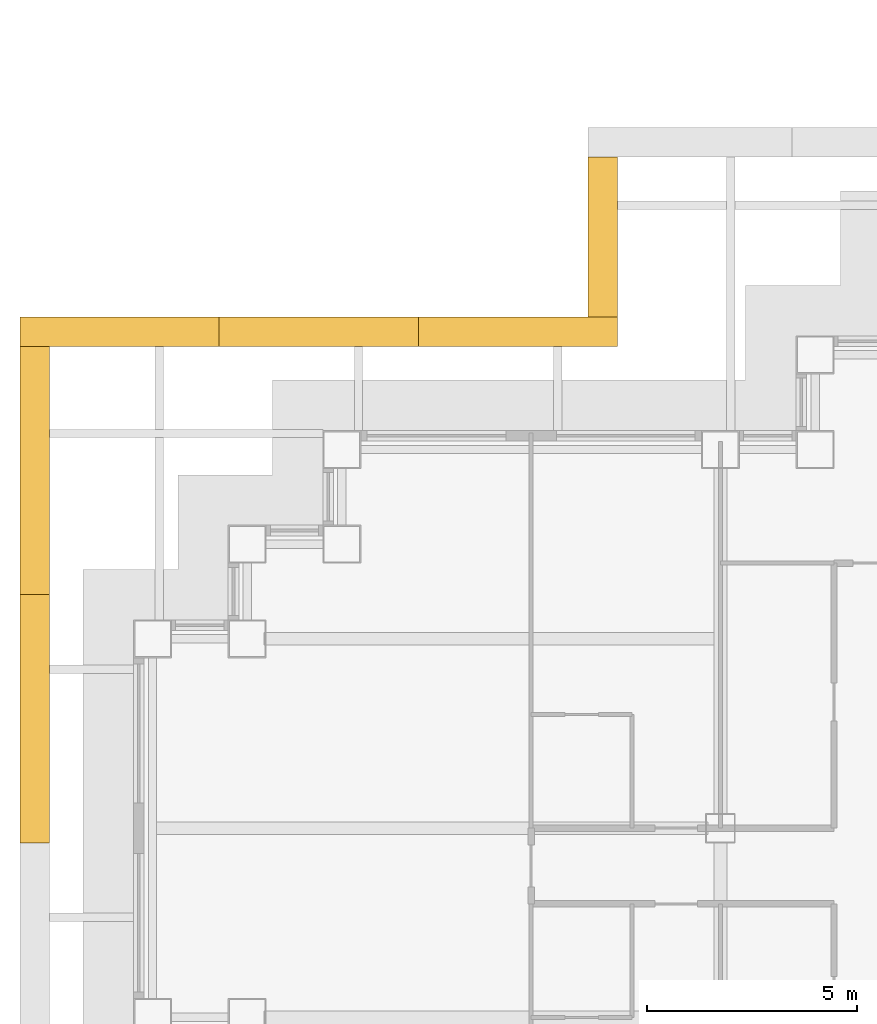
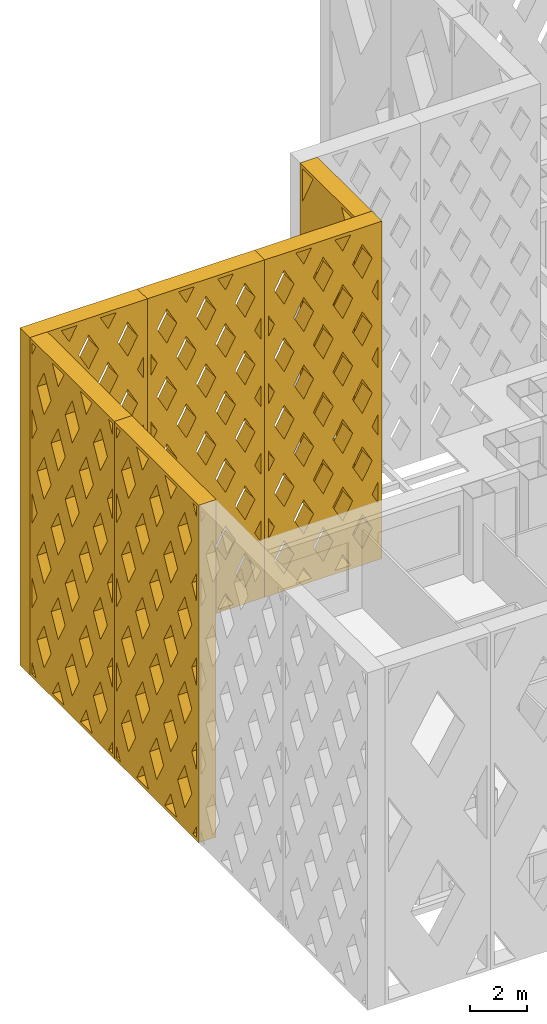
# One storey, part 17 of 21: 6 shading devices.
"""IFC4 building model written with IfcOpenShell, lengths in metres."""

from ifc_helpers import new_model, si_unit, direction, frame, origin, place, context, subcontext, project, spatial, polyline, outline, extrude, material, type_object, element, save


model = new_model("IFC4")

# Units and contexts
model_context = context("Model", 3, precision=1e-05, world=origin(), true_north=direction((0.0, 1.0)))
body_context = subcontext(model_context, "Body", "Model", "MODEL_VIEW")
ifc_project = project(units=[si_unit("LENGTHUNIT", "METRE"), si_unit("AREAUNIT", "SQUARE_METRE"), si_unit("VOLUMEUNIT", "CUBIC_METRE"), si_unit("PLANEANGLEUNIT", "RADIAN"), si_unit("MASSUNIT", "GRAM", prefix="KILO")], contexts=[model_context])

# Site, building, storey
site_placement = place(None, origin())
site = spatial("IfcSite", under=ifc_project, at=site_placement, CompositionType="ELEMENT")
building_placement = place(site_placement, origin())
building = spatial("IfcBuilding", under=site, at=building_placement, Name="Caravel Reach Hotel and Residences", CompositionType="ELEMENT")
storey_placement = place(building_placement, frame((0.0, 0.0, 115.199951171875)))
storey = spatial("IfcBuildingStorey", under=building, at=storey_placement, Name="L28", CompositionType="ELEMENT", Elevation=115.199951171875)

# Shading devices
ifc_material_1 = material(Name="Black powder-coated aluminium", Category="aluminium")
shading_device_type_1 = type_object("IfcShadingDeviceType", Name="Diamond lattice screen panel 3800 x 14400", PredefinedType="USERDEFINED", material=ifc_material_1)
shading_device_1_placement = place(storey_placement, frame((11.050048828125, 42.949951171875, 0.0), z_axis=(-1.0, 0.0, 0.0), x_axis=(0.0, -1.0, 0.0)))
element("IfcShadingDevice", 1, at=shading_device_1_placement, inside=storey, type_object=shading_device_type_1, Name="Lattice screen L28-L31 15.1", ObjectType="SCREEN", PredefinedType="USERDEFINED", context=body_context, shape_type="SweptSolid", body=[
    extrude(outline(polyline([(0.0, 0.0), (3.800048828125, 0.0), (3.800048828125, 14.39990234375), (0.0, 14.39990234375), (0.0, 0.0)]), holes=[polyline([(0.9013671875, 0.14990234375), (0.14990234375, 1.573486328125), (0.14990234375, 0.14990234375), (0.9013671875, 0.14990234375)]), polyline([(0.98046875, 7.199951171875), (0.14990234375, 8.7734375), (0.14990234375, 5.62646484375), (0.98046875, 7.199951171875)]), polyline([(0.14990234375, 12.826416015625), (0.9013671875, 14.25), (0.14990234375, 14.25), (0.14990234375, 12.826416015625)]), polyline([(1.89990234375, 5.457763671875), (0.91943359375, 3.60009765625), (1.89990234375, 1.7421875), (2.88037109375, 3.60009765625), (1.89990234375, 5.457763671875)]), polyline([(1.89990234375, 12.65771484375), (0.91943359375, 10.800048828125), (1.89990234375, 8.9423828125), (2.88037109375, 10.800048828125), (1.89990234375, 12.65771484375)]), polyline([(3.64990234375, 1.573486328125), (2.898681640625, 0.14990234375), (3.64990234375, 0.14990234375), (3.64990234375, 1.573486328125)]), polyline([(2.819580078125, 7.199951171875), (3.64990234375, 5.62646484375), (3.64990234375, 8.7734375), (2.819580078125, 7.199951171875)]), polyline([(2.898681640625, 14.25), (3.64990234375, 12.826416015625), (3.64990234375, 14.25), (2.898681640625, 14.25)])]), origin(), (0.0, 0.0, 1.0), 0.699951171875),
])
ifc_material_2 = material(Name="Black powder-coated aluminium", Category="aluminium")
shading_device_type_2 = type_object("IfcShadingDeviceType", Name="Diamond lattice screen panel 4733 x 14400", PredefinedType="USERDEFINED", material=ifc_material_2)
shading_device_2_placement = place(storey_placement, frame((11.050048828125, 38.449951171875, 0.0), z_axis=(0.0, 1.0, 0.0), x_axis=(-1.0, 0.0, 0.0)))
element("IfcShadingDevice", 2, at=shading_device_2_placement, inside=storey, type_object=shading_device_type_2, Name="Lattice screen L28-L31 16.1", ObjectType="SCREEN", PredefinedType="USERDEFINED", context=body_context, shape_type="SweptSolid", body=[
    extrude(outline(polyline([(0.0, 0.0), (4.7333984375, 0.0), (4.7333984375, 14.39990234375), (0.0, 14.39990234375), (0.0, 0.0)]), holes=[polyline([(0.39892578125, 2.8798828125), (0.14990234375, 3.334228515625), (0.14990234375, 2.42578125), (0.39892578125, 2.8798828125)]), polyline([(0.39892578125, 5.760009765625), (0.14990234375, 6.21435546875), (0.14990234375, 5.3056640625), (0.39892578125, 5.760009765625)]), polyline([(0.39892578125, 8.639892578125), (0.14990234375, 9.09423828125), (0.14990234375, 8.185791015625), (0.39892578125, 8.639892578125)]), polyline([(0.39892578125, 11.52001953125), (0.14990234375, 11.974365234375), (0.14990234375, 11.065673828125), (0.39892578125, 11.52001953125)]), polyline([(0.788818359375, 2.16796875), (0.39013671875, 1.43994140625), (0.788818359375, 0.7119140625), (1.187744140625, 1.43994140625), (0.788818359375, 2.16796875)]), polyline([(0.788818359375, 5.048095703125), (0.39013671875, 4.320068359375), (0.788818359375, 3.592041015625), (1.187744140625, 4.320068359375), (0.788818359375, 5.048095703125)]), polyline([(0.788818359375, 7.927978515625), (0.39013671875, 7.199951171875), (0.788818359375, 6.471923828125), (1.187744140625, 7.199951171875), (0.788818359375, 7.927978515625)]), polyline([(0.788818359375, 10.80810546875), (0.39013671875, 10.080078125), (0.788818359375, 9.35205078125), (1.187744140625, 10.080078125), (0.788818359375, 10.80810546875)]), polyline([(0.788818359375, 13.68798828125), (0.39013671875, 12.9599609375), (0.788818359375, 12.23193359375), (1.187744140625, 12.9599609375), (0.788818359375, 13.68798828125)]), polyline([(1.577880859375, 0.72802734375), (1.260986328125, 0.14990234375), (1.89453125, 0.14990234375), (1.577880859375, 0.72802734375)]), polyline([(1.577880859375, 3.608154296875), (1.178955078125, 2.8798828125), (1.577880859375, 2.15185546875), (1.9765625, 2.8798828125), (1.577880859375, 3.608154296875)]), polyline([(1.577880859375, 6.488037109375), (1.178955078125, 5.760009765625), (1.577880859375, 5.031982421875), (1.9765625, 5.760009765625), (1.577880859375, 6.488037109375)]), polyline([(1.577880859375, 9.3681640625), (1.178955078125, 8.639892578125), (1.577880859375, 7.911865234375), (1.9765625, 8.639892578125), (1.577880859375, 9.3681640625)]), polyline([(1.577880859375, 12.248046875), (1.178955078125, 11.52001953125), (1.577880859375, 10.7919921875), (1.9765625, 11.52001953125), (1.577880859375, 12.248046875)]), polyline([(1.577880859375, 13.671875), (1.89453125, 14.25), (1.260986328125, 14.25), (1.577880859375, 13.671875)]), polyline([(2.36669921875, 2.16796875), (1.9677734375, 1.43994140625), (2.36669921875, 0.7119140625), (2.765625, 1.43994140625), (2.36669921875, 2.16796875)]), polyline([(2.36669921875, 5.048095703125), (1.9677734375, 4.320068359375), (2.36669921875, 3.592041015625), (2.765625, 4.320068359375), (2.36669921875, 5.048095703125)]), polyline([(2.36669921875, 7.927978515625), (1.9677734375, 7.199951171875), (2.36669921875, 6.471923828125), (2.765625, 7.199951171875), (2.36669921875, 7.927978515625)]), polyline([(2.36669921875, 10.80810546875), (1.9677734375, 10.080078125), (2.36669921875, 9.35205078125), (2.765625, 10.080078125), (2.36669921875, 10.80810546875)]), polyline([(2.36669921875, 13.68798828125), (1.9677734375, 12.9599609375), (2.36669921875, 12.23193359375), (2.765625, 12.9599609375), (2.36669921875, 13.68798828125)]), polyline([(3.155517578125, 0.72802734375), (2.8388671875, 0.14990234375), (3.47216796875, 0.14990234375), (3.155517578125, 0.72802734375)]), polyline([(3.155517578125, 3.608154296875), (2.756591796875, 2.8798828125), (3.155517578125, 2.15185546875), (3.554443359375, 2.8798828125), (3.155517578125, 3.608154296875)]), polyline([(3.155517578125, 6.488037109375), (2.756591796875, 5.760009765625), (3.155517578125, 5.031982421875), (3.554443359375, 5.760009765625), (3.155517578125, 6.488037109375)]), polyline([(3.155517578125, 9.3681640625), (2.756591796875, 8.639892578125), (3.155517578125, 7.911865234375), (3.554443359375, 8.639892578125), (3.155517578125, 9.3681640625)]), polyline([(3.155517578125, 12.248046875), (2.756591796875, 11.52001953125), (3.155517578125, 10.7919921875), (3.554443359375, 11.52001953125), (3.155517578125, 12.248046875)]), polyline([(3.155517578125, 13.671875), (3.47216796875, 14.25), (2.8388671875, 14.25), (3.155517578125, 13.671875)]), polyline([(3.9443359375, 2.16796875), (3.545654296875, 1.43994140625), (3.9443359375, 0.7119140625), (4.34326171875, 1.43994140625), (3.9443359375, 2.16796875)]), polyline([(3.9443359375, 5.048095703125), (3.545654296875, 4.320068359375), (3.9443359375, 3.592041015625), (4.34326171875, 4.320068359375), (3.9443359375, 5.048095703125)]), polyline([(3.9443359375, 7.927978515625), (3.545654296875, 7.199951171875), (3.9443359375, 6.471923828125), (4.34326171875, 7.199951171875), (3.9443359375, 7.927978515625)]), polyline([(3.9443359375, 10.80810546875), (3.545654296875, 10.080078125), (3.9443359375, 9.35205078125), (4.34326171875, 10.080078125), (3.9443359375, 10.80810546875)]), polyline([(3.9443359375, 13.68798828125), (3.545654296875, 12.9599609375), (3.9443359375, 12.23193359375), (4.34326171875, 12.9599609375), (3.9443359375, 13.68798828125)]), polyline([(4.33447265625, 2.8798828125), (4.583251953125, 2.42578125), (4.583251953125, 3.334228515625), (4.33447265625, 2.8798828125)]), polyline([(4.33447265625, 5.760009765625), (4.583251953125, 5.3056640625), (4.583251953125, 6.21435546875), (4.33447265625, 5.760009765625)]), polyline([(4.33447265625, 8.639892578125), (4.583251953125, 8.185791015625), (4.583251953125, 9.09423828125), (4.33447265625, 8.639892578125)]), polyline([(4.33447265625, 11.52001953125), (4.583251953125, 11.065673828125), (4.583251953125, 11.974365234375), (4.33447265625, 11.52001953125)])]), origin(), (0.0, 0.0, 1.0), 0.699951171875),
])
shading_device_3_placement = place(storey_placement, frame((6.316650390625, 38.449951171875, 0.0), z_axis=(0.0, 1.0, 0.0), x_axis=(-1.0, 0.0, 0.0)))
element("IfcShadingDevice", 3, at=shading_device_3_placement, inside=storey, type_object=shading_device_type_2, Name="Lattice screen L28-L31 16.2", ObjectType="SCREEN", PredefinedType="USERDEFINED", context=body_context, shape_type="SweptSolid", body=[
    extrude(outline(polyline([(0.0, 0.0), (4.7333984375, 0.0), (4.7333984375, 14.39990234375), (0.0, 14.39990234375), (0.0, 0.0)]), holes=[polyline([(0.39892578125, 2.8798828125), (0.14990234375, 3.334228515625), (0.14990234375, 2.42578125), (0.39892578125, 2.8798828125)]), polyline([(0.39892578125, 5.760009765625), (0.14990234375, 6.21435546875), (0.14990234375, 5.3056640625), (0.39892578125, 5.760009765625)]), polyline([(0.39892578125, 8.639892578125), (0.14990234375, 9.09423828125), (0.14990234375, 8.185791015625), (0.39892578125, 8.639892578125)]), polyline([(0.39892578125, 11.52001953125), (0.14990234375, 11.974365234375), (0.14990234375, 11.065673828125), (0.39892578125, 11.52001953125)]), polyline([(0.788818359375, 2.16796875), (0.39013671875, 1.43994140625), (0.788818359375, 0.7119140625), (1.187744140625, 1.43994140625), (0.788818359375, 2.16796875)]), polyline([(0.788818359375, 5.048095703125), (0.39013671875, 4.320068359375), (0.788818359375, 3.592041015625), (1.187744140625, 4.320068359375), (0.788818359375, 5.048095703125)]), polyline([(0.788818359375, 7.927978515625), (0.39013671875, 7.199951171875), (0.788818359375, 6.471923828125), (1.187744140625, 7.199951171875), (0.788818359375, 7.927978515625)]), polyline([(0.788818359375, 10.80810546875), (0.39013671875, 10.080078125), (0.788818359375, 9.35205078125), (1.187744140625, 10.080078125), (0.788818359375, 10.80810546875)]), polyline([(0.788818359375, 13.68798828125), (0.39013671875, 12.9599609375), (0.788818359375, 12.23193359375), (1.187744140625, 12.9599609375), (0.788818359375, 13.68798828125)]), polyline([(1.577880859375, 0.72802734375), (1.260986328125, 0.14990234375), (1.89453125, 0.14990234375), (1.577880859375, 0.72802734375)]), polyline([(1.577880859375, 3.608154296875), (1.178955078125, 2.8798828125), (1.577880859375, 2.15185546875), (1.9765625, 2.8798828125), (1.577880859375, 3.608154296875)]), polyline([(1.577880859375, 6.488037109375), (1.178955078125, 5.760009765625), (1.577880859375, 5.031982421875), (1.9765625, 5.760009765625), (1.577880859375, 6.488037109375)]), polyline([(1.577880859375, 9.3681640625), (1.178955078125, 8.639892578125), (1.577880859375, 7.911865234375), (1.9765625, 8.639892578125), (1.577880859375, 9.3681640625)]), polyline([(1.577880859375, 12.248046875), (1.178955078125, 11.52001953125), (1.577880859375, 10.7919921875), (1.9765625, 11.52001953125), (1.577880859375, 12.248046875)]), polyline([(1.577880859375, 13.671875), (1.89453125, 14.25), (1.260986328125, 14.25), (1.577880859375, 13.671875)]), polyline([(2.36669921875, 2.16796875), (1.9677734375, 1.43994140625), (2.36669921875, 0.7119140625), (2.765625, 1.43994140625), (2.36669921875, 2.16796875)]), polyline([(2.36669921875, 5.048095703125), (1.9677734375, 4.320068359375), (2.36669921875, 3.592041015625), (2.765625, 4.320068359375), (2.36669921875, 5.048095703125)]), polyline([(2.36669921875, 7.927978515625), (1.9677734375, 7.199951171875), (2.36669921875, 6.471923828125), (2.765625, 7.199951171875), (2.36669921875, 7.927978515625)]), polyline([(2.36669921875, 10.80810546875), (1.9677734375, 10.080078125), (2.36669921875, 9.35205078125), (2.765625, 10.080078125), (2.36669921875, 10.80810546875)]), polyline([(2.36669921875, 13.68798828125), (1.9677734375, 12.9599609375), (2.36669921875, 12.23193359375), (2.765625, 12.9599609375), (2.36669921875, 13.68798828125)]), polyline([(3.155517578125, 0.72802734375), (2.8388671875, 0.14990234375), (3.47216796875, 0.14990234375), (3.155517578125, 0.72802734375)]), polyline([(3.155517578125, 3.608154296875), (2.756591796875, 2.8798828125), (3.155517578125, 2.15185546875), (3.554443359375, 2.8798828125), (3.155517578125, 3.608154296875)]), polyline([(3.155517578125, 6.488037109375), (2.756591796875, 5.760009765625), (3.155517578125, 5.031982421875), (3.554443359375, 5.760009765625), (3.155517578125, 6.488037109375)]), polyline([(3.155517578125, 9.3681640625), (2.756591796875, 8.639892578125), (3.155517578125, 7.911865234375), (3.554443359375, 8.639892578125), (3.155517578125, 9.3681640625)]), polyline([(3.155517578125, 12.248046875), (2.756591796875, 11.52001953125), (3.155517578125, 10.7919921875), (3.554443359375, 11.52001953125), (3.155517578125, 12.248046875)]), polyline([(3.155517578125, 13.671875), (3.47216796875, 14.25), (2.8388671875, 14.25), (3.155517578125, 13.671875)]), polyline([(3.9443359375, 2.16796875), (3.545654296875, 1.43994140625), (3.9443359375, 0.7119140625), (4.34326171875, 1.43994140625), (3.9443359375, 2.16796875)]), polyline([(3.9443359375, 5.048095703125), (3.545654296875, 4.320068359375), (3.9443359375, 3.592041015625), (4.34326171875, 4.320068359375), (3.9443359375, 5.048095703125)]), polyline([(3.9443359375, 7.927978515625), (3.545654296875, 7.199951171875), (3.9443359375, 6.471923828125), (4.34326171875, 7.199951171875), (3.9443359375, 7.927978515625)]), polyline([(3.9443359375, 10.80810546875), (3.545654296875, 10.080078125), (3.9443359375, 9.35205078125), (4.34326171875, 10.080078125), (3.9443359375, 10.80810546875)]), polyline([(3.9443359375, 13.68798828125), (3.545654296875, 12.9599609375), (3.9443359375, 12.23193359375), (4.34326171875, 12.9599609375), (3.9443359375, 13.68798828125)]), polyline([(4.33447265625, 2.8798828125), (4.583251953125, 2.42578125), (4.583251953125, 3.334228515625), (4.33447265625, 2.8798828125)]), polyline([(4.33447265625, 5.760009765625), (4.583251953125, 5.3056640625), (4.583251953125, 6.21435546875), (4.33447265625, 5.760009765625)]), polyline([(4.33447265625, 8.639892578125), (4.583251953125, 8.185791015625), (4.583251953125, 9.09423828125), (4.33447265625, 8.639892578125)]), polyline([(4.33447265625, 11.52001953125), (4.583251953125, 11.065673828125), (4.583251953125, 11.974365234375), (4.33447265625, 11.52001953125)])]), origin(), (0.0, 0.0, 1.0), 0.699951171875),
])
shading_device_4_placement = place(storey_placement, frame((1.583251953125, 38.449951171875, 0.0), z_axis=(0.0, 1.0, 0.0), x_axis=(-1.0, 0.0, 0.0)))
element("IfcShadingDevice", 4, at=shading_device_4_placement, inside=storey, type_object=shading_device_type_2, Name="Lattice screen L28-L31 16.3", ObjectType="SCREEN", PredefinedType="USERDEFINED", context=body_context, shape_type="SweptSolid", body=[
    extrude(outline(polyline([(0.0, 0.0), (4.7333984375, 0.0), (4.7333984375, 14.39990234375), (0.0, 14.39990234375), (0.0, 0.0)]), holes=[polyline([(0.39892578125, 2.8798828125), (0.14990234375, 3.334228515625), (0.14990234375, 2.42578125), (0.39892578125, 2.8798828125)]), polyline([(0.39892578125, 5.760009765625), (0.14990234375, 6.21435546875), (0.14990234375, 5.3056640625), (0.39892578125, 5.760009765625)]), polyline([(0.39892578125, 8.639892578125), (0.14990234375, 9.09423828125), (0.14990234375, 8.185791015625), (0.39892578125, 8.639892578125)]), polyline([(0.39892578125, 11.52001953125), (0.14990234375, 11.974365234375), (0.14990234375, 11.065673828125), (0.39892578125, 11.52001953125)]), polyline([(0.788818359375, 2.16796875), (0.39013671875, 1.43994140625), (0.788818359375, 0.7119140625), (1.187744140625, 1.43994140625), (0.788818359375, 2.16796875)]), polyline([(0.788818359375, 5.048095703125), (0.39013671875, 4.320068359375), (0.788818359375, 3.592041015625), (1.187744140625, 4.320068359375), (0.788818359375, 5.048095703125)]), polyline([(0.788818359375, 7.927978515625), (0.39013671875, 7.199951171875), (0.788818359375, 6.471923828125), (1.187744140625, 7.199951171875), (0.788818359375, 7.927978515625)]), polyline([(0.788818359375, 10.80810546875), (0.39013671875, 10.080078125), (0.788818359375, 9.35205078125), (1.187744140625, 10.080078125), (0.788818359375, 10.80810546875)]), polyline([(0.788818359375, 13.68798828125), (0.39013671875, 12.9599609375), (0.788818359375, 12.23193359375), (1.187744140625, 12.9599609375), (0.788818359375, 13.68798828125)]), polyline([(1.577880859375, 0.72802734375), (1.260986328125, 0.14990234375), (1.89453125, 0.14990234375), (1.577880859375, 0.72802734375)]), polyline([(1.577880859375, 3.608154296875), (1.178955078125, 2.8798828125), (1.577880859375, 2.15185546875), (1.9765625, 2.8798828125), (1.577880859375, 3.608154296875)]), polyline([(1.577880859375, 6.488037109375), (1.178955078125, 5.760009765625), (1.577880859375, 5.031982421875), (1.9765625, 5.760009765625), (1.577880859375, 6.488037109375)]), polyline([(1.577880859375, 9.3681640625), (1.178955078125, 8.639892578125), (1.577880859375, 7.911865234375), (1.9765625, 8.639892578125), (1.577880859375, 9.3681640625)]), polyline([(1.577880859375, 12.248046875), (1.178955078125, 11.52001953125), (1.577880859375, 10.7919921875), (1.9765625, 11.52001953125), (1.577880859375, 12.248046875)]), polyline([(1.577880859375, 13.671875), (1.89453125, 14.25), (1.260986328125, 14.25), (1.577880859375, 13.671875)]), polyline([(2.36669921875, 2.16796875), (1.9677734375, 1.43994140625), (2.36669921875, 0.7119140625), (2.765625, 1.43994140625), (2.36669921875, 2.16796875)]), polyline([(2.36669921875, 5.048095703125), (1.9677734375, 4.320068359375), (2.36669921875, 3.592041015625), (2.765625, 4.320068359375), (2.36669921875, 5.048095703125)]), polyline([(2.36669921875, 7.927978515625), (1.9677734375, 7.199951171875), (2.36669921875, 6.471923828125), (2.765625, 7.199951171875), (2.36669921875, 7.927978515625)]), polyline([(2.36669921875, 10.80810546875), (1.9677734375, 10.080078125), (2.36669921875, 9.35205078125), (2.765625, 10.080078125), (2.36669921875, 10.80810546875)]), polyline([(2.36669921875, 13.68798828125), (1.9677734375, 12.9599609375), (2.36669921875, 12.23193359375), (2.765625, 12.9599609375), (2.36669921875, 13.68798828125)]), polyline([(3.155517578125, 0.72802734375), (2.8388671875, 0.14990234375), (3.47216796875, 0.14990234375), (3.155517578125, 0.72802734375)]), polyline([(3.155517578125, 3.608154296875), (2.756591796875, 2.8798828125), (3.155517578125, 2.15185546875), (3.554443359375, 2.8798828125), (3.155517578125, 3.608154296875)]), polyline([(3.155517578125, 6.488037109375), (2.756591796875, 5.760009765625), (3.155517578125, 5.031982421875), (3.554443359375, 5.760009765625), (3.155517578125, 6.488037109375)]), polyline([(3.155517578125, 9.3681640625), (2.756591796875, 8.639892578125), (3.155517578125, 7.911865234375), (3.554443359375, 8.639892578125), (3.155517578125, 9.3681640625)]), polyline([(3.155517578125, 12.248046875), (2.756591796875, 11.52001953125), (3.155517578125, 10.7919921875), (3.554443359375, 11.52001953125), (3.155517578125, 12.248046875)]), polyline([(3.155517578125, 13.671875), (3.47216796875, 14.25), (2.8388671875, 14.25), (3.155517578125, 13.671875)]), polyline([(3.9443359375, 2.16796875), (3.545654296875, 1.43994140625), (3.9443359375, 0.7119140625), (4.34326171875, 1.43994140625), (3.9443359375, 2.16796875)]), polyline([(3.9443359375, 5.048095703125), (3.545654296875, 4.320068359375), (3.9443359375, 3.592041015625), (4.34326171875, 4.320068359375), (3.9443359375, 5.048095703125)]), polyline([(3.9443359375, 7.927978515625), (3.545654296875, 7.199951171875), (3.9443359375, 6.471923828125), (4.34326171875, 7.199951171875), (3.9443359375, 7.927978515625)]), polyline([(3.9443359375, 10.80810546875), (3.545654296875, 10.080078125), (3.9443359375, 9.35205078125), (4.34326171875, 10.080078125), (3.9443359375, 10.80810546875)]), polyline([(3.9443359375, 13.68798828125), (3.545654296875, 12.9599609375), (3.9443359375, 12.23193359375), (4.34326171875, 12.9599609375), (3.9443359375, 13.68798828125)]), polyline([(4.33447265625, 2.8798828125), (4.583251953125, 2.42578125), (4.583251953125, 3.334228515625), (4.33447265625, 2.8798828125)]), polyline([(4.33447265625, 5.760009765625), (4.583251953125, 5.3056640625), (4.583251953125, 6.21435546875), (4.33447265625, 5.760009765625)]), polyline([(4.33447265625, 8.639892578125), (4.583251953125, 8.185791015625), (4.583251953125, 9.09423828125), (4.33447265625, 8.639892578125)]), polyline([(4.33447265625, 11.52001953125), (4.583251953125, 11.065673828125), (4.583251953125, 11.974365234375), (4.33447265625, 11.52001953125)])]), origin(), (0.0, 0.0, 1.0), 0.699951171875),
])
ifc_material_3 = material(Name="Black powder-coated aluminium", Category="aluminium")
shading_device_type_3 = type_object("IfcShadingDeviceType", Name="Diamond lattice screen panel 5900 x 14400", PredefinedType="USERDEFINED", material=ifc_material_3)
shading_device_5_placement = place(storey_placement, frame((-2.449951171875, 38.449951171875, 0.0), z_axis=(-1.0, 0.0, 0.0), x_axis=(0.0, -1.0, 0.0)))
element("IfcShadingDevice", 5, at=shading_device_5_placement, inside=storey, type_object=shading_device_type_3, Name="Lattice screen L28-L31 17.1", ObjectType="SCREEN", PredefinedType="USERDEFINED", context=body_context, shape_type="SweptSolid", body=[
    extrude(outline(polyline([(0.0, 0.0), (5.89990234375, 0.0), (5.89990234375, 14.39990234375), (0.0, 14.39990234375), (0.0, 0.0)]), holes=[polyline([(0.40966796875, 0.14990234375), (0.14990234375, 0.62548828125), (0.14990234375, 0.14990234375), (0.40966796875, 0.14990234375)]), polyline([(0.49169921875, 3.60009765625), (0.14990234375, 4.2255859375), (0.14990234375, 2.974609375), (0.49169921875, 3.60009765625)]), polyline([(0.49169921875, 7.199951171875), (0.14990234375, 7.825439453125), (0.14990234375, 6.574462890625), (0.49169921875, 7.199951171875)]), polyline([(0.49169921875, 10.800048828125), (0.14990234375, 11.425537109375), (0.14990234375, 10.174560546875), (0.49169921875, 10.800048828125)]), polyline([(0.14990234375, 13.7744140625), (0.40966796875, 14.25), (0.14990234375, 14.25), (0.14990234375, 13.7744140625)]), polyline([(0.9833984375, 2.699951171875), (0.49169921875, 1.800048828125), (0.9833984375, 0.89990234375), (1.47509765625, 1.800048828125), (0.9833984375, 2.699951171875)]), polyline([(0.9833984375, 6.300048828125), (0.49169921875, 5.39990234375), (0.9833984375, 4.5), (1.47509765625, 5.39990234375), (0.9833984375, 6.300048828125)]), polyline([(0.9833984375, 9.900146484375), (0.49169921875, 9.0), (0.9833984375, 8.099853515625), (1.47509765625, 9.0), (0.9833984375, 9.900146484375)]), polyline([(0.9833984375, 13.5), (0.49169921875, 12.60009765625), (0.9833984375, 11.699951171875), (1.47509765625, 12.60009765625), (0.9833984375, 13.5)]), polyline([(1.966552734375, 0.900146484375), (1.556884765625, 0.14990234375), (2.37646484375, 0.14990234375), (1.966552734375, 0.900146484375)]), polyline([(1.966552734375, 4.5), (1.474853515625, 3.60009765625), (1.966552734375, 2.699951171875), (2.458251953125, 3.60009765625), (1.966552734375, 4.5)]), polyline([(1.966552734375, 8.10009765625), (1.474853515625, 7.199951171875), (1.966552734375, 6.300048828125), (2.458251953125, 7.199951171875), (1.966552734375, 8.10009765625)]), polyline([(1.966552734375, 11.699951171875), (1.474853515625, 10.800048828125), (1.966552734375, 9.89990234375), (2.458251953125, 10.800048828125), (1.966552734375, 11.699951171875)]), polyline([(1.966552734375, 13.5), (2.37646484375, 14.25), (1.556884765625, 14.25), (1.966552734375, 13.5)]), polyline([(2.949951171875, 2.699951171875), (2.458251953125, 1.800048828125), (2.949951171875, 0.89990234375), (3.441650390625, 1.800048828125), (2.949951171875, 2.699951171875)]), polyline([(2.949951171875, 6.300048828125), (2.458251953125, 5.39990234375), (2.949951171875, 4.5), (3.441650390625, 5.39990234375), (2.949951171875, 6.300048828125)]), polyline([(2.949951171875, 9.900146484375), (2.458251953125, 9.0), (2.949951171875, 8.099853515625), (3.441650390625, 9.0), (2.949951171875, 9.900146484375)]), polyline([(2.949951171875, 13.5), (2.458251953125, 12.60009765625), (2.949951171875, 11.699951171875), (3.441650390625, 12.60009765625), (2.949951171875, 13.5)]), polyline([(3.933349609375, 0.900146484375), (3.523681640625, 0.14990234375), (4.343017578125, 0.14990234375), (3.933349609375, 0.900146484375)]), polyline([(3.933349609375, 4.5), (3.441650390625, 3.60009765625), (3.933349609375, 2.699951171875), (4.425048828125, 3.60009765625), (3.933349609375, 4.5)]), polyline([(3.933349609375, 8.10009765625), (3.441650390625, 7.199951171875), (3.933349609375, 6.300048828125), (4.425048828125, 7.199951171875), (3.933349609375, 8.10009765625)]), polyline([(3.933349609375, 11.699951171875), (3.441650390625, 10.800048828125), (3.933349609375, 9.89990234375), (4.425048828125, 10.800048828125), (3.933349609375, 11.699951171875)]), polyline([(3.933349609375, 13.5), (4.343017578125, 14.25), (3.523681640625, 14.25), (3.933349609375, 13.5)]), polyline([(4.916748046875, 2.699951171875), (4.425048828125, 1.800048828125), (4.916748046875, 0.89990234375), (5.408447265625, 1.800048828125), (4.916748046875, 2.699951171875)]), polyline([(4.916748046875, 6.300048828125), (4.425048828125, 5.39990234375), (4.916748046875, 4.5), (5.408447265625, 5.39990234375), (4.916748046875, 6.300048828125)]), polyline([(4.916748046875, 9.900146484375), (4.425048828125, 9.0), (4.916748046875, 8.099853515625), (5.408447265625, 9.0), (4.916748046875, 9.900146484375)]), polyline([(4.916748046875, 13.5), (4.425048828125, 12.60009765625), (4.916748046875, 11.699951171875), (5.408447265625, 12.60009765625), (4.916748046875, 13.5)]), polyline([(5.75, 0.62548828125), (5.490234375, 0.14990234375), (5.75, 0.14990234375), (5.75, 0.62548828125)]), polyline([(5.408203125, 3.60009765625), (5.75, 2.974609375), (5.75, 4.2255859375), (5.408203125, 3.60009765625)]), polyline([(5.408203125, 7.199951171875), (5.75, 6.574462890625), (5.75, 7.825439453125), (5.408203125, 7.199951171875)]), polyline([(5.408203125, 10.800048828125), (5.75, 10.174560546875), (5.75, 11.425537109375), (5.408203125, 10.800048828125)]), polyline([(5.490234375, 14.25), (5.75, 13.7744140625), (5.75, 14.25), (5.490234375, 14.25)])]), origin(), (0.0, 0.0, 1.0), 0.699951171875),
])
shading_device_6_placement = place(storey_placement, frame((-2.449951171875, 32.550048828125, 0.0), z_axis=(-1.0, 0.0, 0.0), x_axis=(0.0, -1.0, 0.0)))
element("IfcShadingDevice", 6, at=shading_device_6_placement, inside=storey, type_object=shading_device_type_3, Name="Lattice screen L28-L31 17.2", ObjectType="SCREEN", PredefinedType="USERDEFINED", context=body_context, shape_type="SweptSolid", body=[
    extrude(outline(polyline([(0.0, 0.0), (5.89990234375, 0.0), (5.89990234375, 14.39990234375), (0.0, 14.39990234375), (0.0, 0.0)]), holes=[polyline([(0.40966796875, 0.14990234375), (0.14990234375, 0.62548828125), (0.14990234375, 0.14990234375), (0.40966796875, 0.14990234375)]), polyline([(0.49169921875, 3.60009765625), (0.14990234375, 4.2255859375), (0.14990234375, 2.974609375), (0.49169921875, 3.60009765625)]), polyline([(0.49169921875, 7.199951171875), (0.14990234375, 7.825439453125), (0.14990234375, 6.574462890625), (0.49169921875, 7.199951171875)]), polyline([(0.49169921875, 10.800048828125), (0.14990234375, 11.425537109375), (0.14990234375, 10.174560546875), (0.49169921875, 10.800048828125)]), polyline([(0.14990234375, 13.7744140625), (0.40966796875, 14.25), (0.14990234375, 14.25), (0.14990234375, 13.7744140625)]), polyline([(0.9833984375, 2.699951171875), (0.49169921875, 1.800048828125), (0.9833984375, 0.89990234375), (1.47509765625, 1.800048828125), (0.9833984375, 2.699951171875)]), polyline([(0.9833984375, 6.300048828125), (0.49169921875, 5.39990234375), (0.9833984375, 4.5), (1.47509765625, 5.39990234375), (0.9833984375, 6.300048828125)]), polyline([(0.9833984375, 9.900146484375), (0.49169921875, 9.0), (0.9833984375, 8.099853515625), (1.47509765625, 9.0), (0.9833984375, 9.900146484375)]), polyline([(0.9833984375, 13.5), (0.49169921875, 12.60009765625), (0.9833984375, 11.699951171875), (1.47509765625, 12.60009765625), (0.9833984375, 13.5)]), polyline([(1.966552734375, 0.900146484375), (1.556884765625, 0.14990234375), (2.37646484375, 0.14990234375), (1.966552734375, 0.900146484375)]), polyline([(1.966552734375, 4.5), (1.474853515625, 3.60009765625), (1.966552734375, 2.699951171875), (2.458251953125, 3.60009765625), (1.966552734375, 4.5)]), polyline([(1.966552734375, 8.10009765625), (1.474853515625, 7.199951171875), (1.966552734375, 6.300048828125), (2.458251953125, 7.199951171875), (1.966552734375, 8.10009765625)]), polyline([(1.966552734375, 11.699951171875), (1.474853515625, 10.800048828125), (1.966552734375, 9.89990234375), (2.458251953125, 10.800048828125), (1.966552734375, 11.699951171875)]), polyline([(1.966552734375, 13.5), (2.37646484375, 14.25), (1.556884765625, 14.25), (1.966552734375, 13.5)]), polyline([(2.949951171875, 2.699951171875), (2.458251953125, 1.800048828125), (2.949951171875, 0.89990234375), (3.441650390625, 1.800048828125), (2.949951171875, 2.699951171875)]), polyline([(2.949951171875, 6.300048828125), (2.458251953125, 5.39990234375), (2.949951171875, 4.5), (3.441650390625, 5.39990234375), (2.949951171875, 6.300048828125)]), polyline([(2.949951171875, 9.900146484375), (2.458251953125, 9.0), (2.949951171875, 8.099853515625), (3.441650390625, 9.0), (2.949951171875, 9.900146484375)]), polyline([(2.949951171875, 13.5), (2.458251953125, 12.60009765625), (2.949951171875, 11.699951171875), (3.441650390625, 12.60009765625), (2.949951171875, 13.5)]), polyline([(3.933349609375, 0.900146484375), (3.523681640625, 0.14990234375), (4.343017578125, 0.14990234375), (3.933349609375, 0.900146484375)]), polyline([(3.933349609375, 4.5), (3.441650390625, 3.60009765625), (3.933349609375, 2.699951171875), (4.425048828125, 3.60009765625), (3.933349609375, 4.5)]), polyline([(3.933349609375, 8.10009765625), (3.441650390625, 7.199951171875), (3.933349609375, 6.300048828125), (4.425048828125, 7.199951171875), (3.933349609375, 8.10009765625)]), polyline([(3.933349609375, 11.699951171875), (3.441650390625, 10.800048828125), (3.933349609375, 9.89990234375), (4.425048828125, 10.800048828125), (3.933349609375, 11.699951171875)]), polyline([(3.933349609375, 13.5), (4.343017578125, 14.25), (3.523681640625, 14.25), (3.933349609375, 13.5)]), polyline([(4.916748046875, 2.699951171875), (4.425048828125, 1.800048828125), (4.916748046875, 0.89990234375), (5.408447265625, 1.800048828125), (4.916748046875, 2.699951171875)]), polyline([(4.916748046875, 6.300048828125), (4.425048828125, 5.39990234375), (4.916748046875, 4.5), (5.408447265625, 5.39990234375), (4.916748046875, 6.300048828125)]), polyline([(4.916748046875, 9.900146484375), (4.425048828125, 9.0), (4.916748046875, 8.099853515625), (5.408447265625, 9.0), (4.916748046875, 9.900146484375)]), polyline([(4.916748046875, 13.5), (4.425048828125, 12.60009765625), (4.916748046875, 11.699951171875), (5.408447265625, 12.60009765625), (4.916748046875, 13.5)]), polyline([(5.75, 0.62548828125), (5.490234375, 0.14990234375), (5.75, 0.14990234375), (5.75, 0.62548828125)]), polyline([(5.408203125, 3.60009765625), (5.75, 2.974609375), (5.75, 4.2255859375), (5.408203125, 3.60009765625)]), polyline([(5.408203125, 7.199951171875), (5.75, 6.574462890625), (5.75, 7.825439453125), (5.408203125, 7.199951171875)]), polyline([(5.408203125, 10.800048828125), (5.75, 10.174560546875), (5.75, 11.425537109375), (5.408203125, 10.800048828125)]), polyline([(5.490234375, 14.25), (5.75, 13.7744140625), (5.75, 14.25), (5.490234375, 14.25)])]), origin(), (0.0, 0.0, 1.0), 0.699951171875),
])

save(model, "model.ifc")
